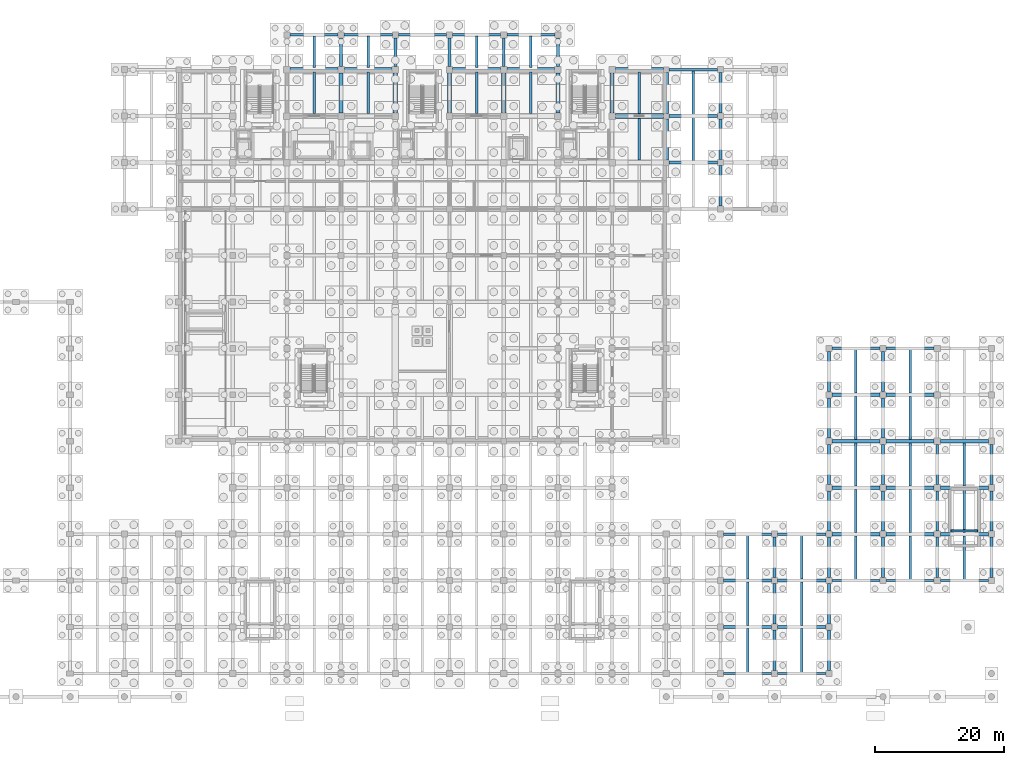
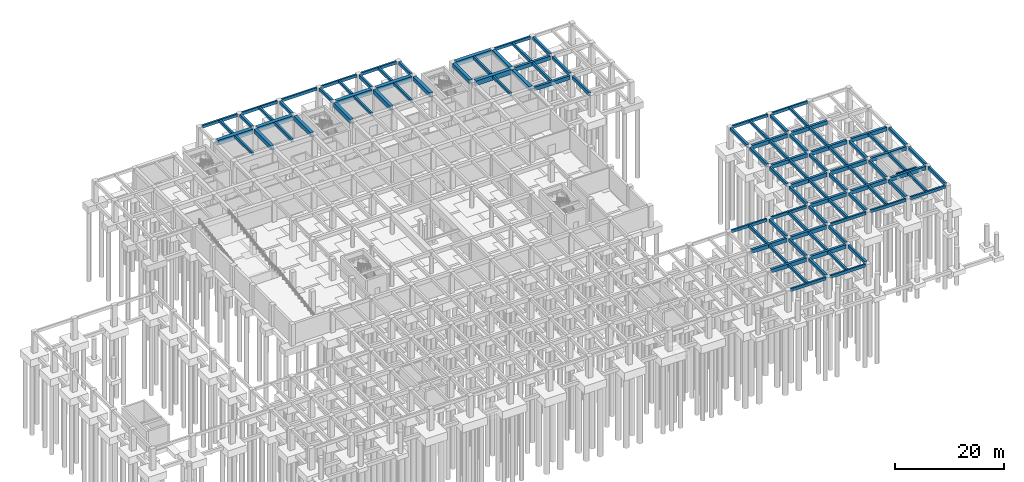
# One storey, part 16 of 26: 107 beams.
"""IFC4 building model written with IfcOpenShell, lengths in metres."""

from ifc_helpers import new_model, si_unit, direction, frame, origin, origin_2d, place, context, subcontext, project, spatial, rectangle, extrude, material, material_profile, profile_set, type_object, element, save


model = new_model("IFC4")

# Units and contexts
model_context = context("Model", 3, precision=1e-05, world=origin(), true_north=direction((0.0, 1.0)))
body_context = subcontext(model_context, "Body", "Model", "MODEL_VIEW")
ifc_project = project(units=[si_unit("LENGTHUNIT", "METRE"), si_unit("AREAUNIT", "SQUARE_METRE"), si_unit("VOLUMEUNIT", "CUBIC_METRE"), si_unit("PLANEANGLEUNIT", "RADIAN"), si_unit("MASSUNIT", "GRAM", prefix="KILO")], contexts=[model_context])

# Site, building, storey
site_placement = place(None, origin())
site = spatial("IfcSite", under=ifc_project, at=site_placement, CompositionType="ELEMENT")
building_placement = place(site_placement, origin())
building = spatial("IfcBuilding", under=site, at=building_placement, Name="Kenerak Square Central Library", CompositionType="ELEMENT")
storey_placement = place(building_placement, frame((0.0, 0.0, -4.800048828125)))
storey = spatial("IfcBuildingStorey", under=building, at=storey_placement, Name="B1", CompositionType="ELEMENT", Elevation=-4.800048828125)

# Beams
ifc_material_1 = material(Name="Concrete C45/55", Category="concrete")
ifc_material_profile_1 = material_profile(ifc_material_1, rectangle(XDim=0.64990234375, YDim=0.949951171875, at=origin_2d()), Name="RC 650x950")
ifc_profile_set_1 = profile_set([ifc_material_profile_1], Name="Concrete C45/55")
beam_type_1 = type_object("IfcBeamType", Name="Book Stack Girder B-02 RC 650x950 C45/55", PredefinedType="BEAM", material=ifc_profile_set_1)
for number, where, z_axis, x_axis, name in (
    (1, (75.199951171875, 103.699951171875, 4.324951171875), (0.0, 1.0, 0.0), (-1.0, 0.0, 0.0), "Beam B-02 B1 0219"),
    (2, (83.60009765625, 103.699951171875, 4.324951171875), (0.0, 1.0, 0.0), (-1.0, 0.0, 0.0), "Beam B-02 B1 0231"),
    (3, (92.0, 103.699951171875, 4.324951171875), (0.0, 1.0, 0.0), (-1.0, 0.0, 0.0), "Beam B-02 B1 0243"),
    (4, (100.39990234375, 103.699951171875, 4.324951171875), (0.0, 1.0, 0.0), (-1.0, 0.0, 0.0), "Beam B-02 B1 0257"),
    (5, (108.800048828125, 103.699951171875, 4.324951171875), (0.0, 1.0, 0.0), (-1.0, 0.0, 0.0), "Beam B-02 B1 0271"),
    (6, (117.199951171875, 103.699951171875, 4.324951171875), (0.0, 1.0, 0.0), (-1.0, 0.0, 0.0), "Beam B-02 B1 0285"),
):
    element("IfcBeam", number, at=place(storey_placement, frame(where, z_axis=z_axis, x_axis=x_axis)), inside=storey, type_object=beam_type_1, Name=name, PredefinedType="BEAM", context=body_context, shape_type="SweptSolid", body=[
        extrude(rectangle(XDim=0.64990234375, YDim=0.949951171875, at=origin_2d()), origin(), (0.0, 0.0, 1.0), 6.199951171875),
    ])
beam_1_placement = place(storey_placement, frame((125.60009765625, 96.425048828125, 4.324951171875), z_axis=(0.0, 1.0, 0.0), x_axis=(-1.0, 0.0, 0.0)))
element("IfcBeam", 7, at=beam_1_placement, inside=storey, type_object=beam_type_1, Name="Beam B-02 B1 0290", PredefinedType="BEAM", context=body_context, shape_type="SweptSolid", body=[
    extrude(rectangle(XDim=0.64990234375, YDim=0.949951171875, at=origin_2d()), origin(), (0.0, 0.0, 1.0), 6.349853515625),
])
beam_2_placement = place(storey_placement, frame((125.60009765625, 103.625, 4.324951171875), z_axis=(0.0, 1.0, 0.0), x_axis=(-1.0, 0.0, 0.0)))
element("IfcBeam", 8, at=beam_2_placement, inside=storey, type_object=beam_type_1, Name="Beam B-02 B1 0291", PredefinedType="BEAM", context=body_context, shape_type="SweptSolid", body=[
    extrude(rectangle(XDim=0.64990234375, YDim=0.949951171875, at=origin_2d()), origin(), (0.0, 0.0, 1.0), 6.35009765625),
])
ifc_material_profile_2 = material_profile(ifc_material_1, rectangle(XDim=0.75, YDim=1.050048828125, at=origin_2d()), Name="RC 750x1050")
ifc_profile_set_2 = profile_set([ifc_material_profile_2], Name="Concrete C45/55")
beam_type_2 = type_object("IfcBeamType", Name="Compact Stack Girder B-01 RC 750x1050 C45/55", PredefinedType="BEAM", material=ifc_profile_set_2)
beam_3_placement = place(storey_placement, frame((117.699951171875, 103.199951171875, 4.275146484375), z_axis=(1.0, 0.0, 0.0), x_axis=(0.0, 1.0, 0.0)))
element("IfcBeam", 9, at=beam_3_placement, inside=storey, type_object=beam_type_2, Name="Beam B-01 B1 0142", PredefinedType="BEAM", context=body_context, shape_type="SweptSolid", body=[
    extrude(rectangle(XDim=0.75, YDim=1.050048828125, at=origin_2d()), origin(), (0.0, 0.0, 1.0), 7.47509765625),
])
beam_4_placement = place(storey_placement, frame((67.300048828125, 110.39990234375, 4.275146484375), z_axis=(1.0, 0.0, 0.0), x_axis=(0.0, 1.0, 0.0)))
element("IfcBeam", 10, at=beam_4_placement, inside=storey, type_object=beam_type_2, Name="Beam B-01 B1 0147", PredefinedType="BEAM", context=body_context, shape_type="SweptSolid", body=[
    extrude(rectangle(XDim=0.75, YDim=1.050048828125, at=origin_2d()), origin(), (0.0, 0.0, 1.0), 7.39990234375),
])
beam_5_placement = place(storey_placement, frame((75.699951171875, 110.39990234375, 4.275146484375), z_axis=(1.0, 0.0, 0.0), x_axis=(0.0, 1.0, 0.0)))
element("IfcBeam", 11, at=beam_5_placement, inside=storey, type_object=beam_type_2, Name="Beam B-01 B1 0148", PredefinedType="BEAM", context=body_context, shape_type="SweptSolid", body=[
    extrude(rectangle(XDim=0.75, YDim=1.050048828125, at=origin_2d()), origin(), (0.0, 0.0, 1.0), 7.400146484375),
])
beam_6_placement = place(storey_placement, frame((92.5, 110.39990234375, 4.275146484375), z_axis=(1.0, 0.0, 0.0), x_axis=(0.0, 1.0, 0.0)))
element("IfcBeam", 12, at=beam_6_placement, inside=storey, type_object=beam_type_2, Name="Beam B-01 B1 0149", PredefinedType="BEAM", context=body_context, shape_type="SweptSolid", body=[
    extrude(rectangle(XDim=0.75, YDim=1.050048828125, at=origin_2d()), origin(), (0.0, 0.0, 1.0), 7.39990234375),
])
beam_7_placement = place(storey_placement, frame((100.89990234375, 110.39990234375, 4.275146484375), z_axis=(1.0, 0.0, 0.0), x_axis=(0.0, 1.0, 0.0)))
element("IfcBeam", 13, at=beam_7_placement, inside=storey, type_object=beam_type_2, Name="Beam B-01 B1 0150", PredefinedType="BEAM", context=body_context, shape_type="SweptSolid", body=[
    extrude(rectangle(XDim=0.75, YDim=1.050048828125, at=origin_2d()), origin(), (0.0, 0.0, 1.0), 7.400146484375),
])
beam_8_placement = place(storey_placement, frame((117.699951171875, 110.39990234375, 4.275146484375), z_axis=(1.0, 0.0, 0.0), x_axis=(0.0, 1.0, 0.0)))
element("IfcBeam", 14, at=beam_8_placement, inside=storey, type_object=beam_type_2, Name="Beam B-01 B1 0151", PredefinedType="BEAM", context=body_context, shape_type="SweptSolid", body=[
    extrude(rectangle(XDim=0.75, YDim=1.050048828125, at=origin_2d()), origin(), (0.0, 0.0, 1.0), 7.47509765625),
])
ifc_material_2 = material(Name="Concrete C40/50", Category="concrete")
ifc_material_profile_3 = material_profile(ifc_material_2, rectangle(XDim=0.300048828125, YDim=0.5, at=origin_2d()), Name="RC 300x500")
ifc_profile_set_3 = profile_set([ifc_material_profile_3], Name="Concrete C40/50")
beam_type_3 = type_object("IfcBeamType", Name="Landing Support Beam B-08 RC 300x500 C40/50", PredefinedType="BEAM", material=ifc_profile_set_3)
beam_9_placement = place(storey_placement, frame((169.719970703125, 38.909912109375, 4.550048828125), z_axis=(1.0, 0.0, 0.0), x_axis=(0.0, 1.0, 0.0)))
element("IfcBeam", 15, at=beam_9_placement, inside=storey, type_object=beam_type_3, Name="Stair Threshold Beam B-08 ST-07 L00", PredefinedType="BEAM", context=body_context, shape_type="SweptSolid", body=[
    extrude(rectangle(XDim=0.300048828125, YDim=0.5, at=origin_2d()), origin(), (0.0, 0.0, 1.0), 4.159912109375),
])
ifc_material_profile_4 = material_profile(ifc_material_2, rectangle(XDim=0.35009765625, YDim=0.64990234375, at=origin_2d()), Name="RC 350x650")
ifc_profile_set_4 = profile_set([ifc_material_profile_4], Name="Concrete C40/50")
beam_type_4 = type_object("IfcBeamType", Name="Perimeter Plinth Spandrel SP-03 RC 350x650 C40/50", PredefinedType="SPANDREL", material=ifc_profile_set_4)
for number, where, z_axis, x_axis, name in (
    (16, (134.47509765625, 16.800048828125, 4.47509765625), (1.0, 0.0, 0.0), (0.0, 1.0, 0.0), "Beam SP-03 B1 0013"),
    (17, (142.875, 16.800048828125, 4.47509765625), (1.0, 0.0, 0.0), (0.0, 1.0, 0.0), "Beam SP-03 B1 0014"),
):
    element("IfcBeam", number, at=place(storey_placement, frame(where, z_axis=z_axis, x_axis=x_axis)), inside=storey, type_object=beam_type_4, Name=name, PredefinedType="SPANDREL", context=body_context, shape_type="SweptSolid", body=[
        extrude(rectangle(XDim=0.35009765625, YDim=0.64990234375, at=origin_2d()), origin(), (0.0, 0.0, 1.0), 7.449951171875),
    ])
beam_10_placement = place(storey_placement, frame((151.27490234375, 31.199951171875, 4.47509765625), z_axis=(1.0, 0.0, 0.0), x_axis=(0.0, 1.0, 0.0)))
element("IfcBeam", 18, at=beam_10_placement, inside=storey, type_object=beam_type_4, Name="Beam SP-03 B1 0046", PredefinedType="SPANDREL", context=body_context, shape_type="SweptSolid", body=[
    extrude(rectangle(XDim=0.35009765625, YDim=0.64990234375, at=origin_2d()), origin(), (0.0, 0.0, 1.0), 7.4501953125),
])
for number, where, z_axis, x_axis, name in (
    (19, (159.675048828125, 31.199951171875, 4.47509765625), (1.0, 0.0, 0.0), (0.0, 1.0, 0.0), "Beam SP-03 B1 0047"),
    (20, (168.074951171875, 31.199951171875, 4.47509765625), (1.0, 0.0, 0.0), (0.0, 1.0, 0.0), "Beam SP-03 B1 0048"),
    (21, (134.47509765625, 38.39990234375, 4.47509765625), (1.0, 0.0, 0.0), (0.0, 1.0, 0.0), "Beam SP-03 B1 0061"),
    (22, (142.875, 38.39990234375, 4.47509765625), (1.0, 0.0, 0.0), (0.0, 1.0, 0.0), "Beam SP-03 B1 0062"),
):
    element("IfcBeam", number, at=place(storey_placement, frame(where, z_axis=z_axis, x_axis=x_axis)), inside=storey, type_object=beam_type_4, Name=name, PredefinedType="SPANDREL", context=body_context, shape_type="SweptSolid", body=[
        extrude(rectangle(XDim=0.35009765625, YDim=0.64990234375, at=origin_2d()), origin(), (0.0, 0.0, 1.0), 7.449951171875),
    ])
beam_11_placement = place(storey_placement, frame((151.27490234375, 67.199951171875, 4.47509765625), z_axis=(1.0, 0.0, 0.0), x_axis=(0.0, 1.0, 0.0)))
element("IfcBeam", 23, at=beam_11_placement, inside=storey, type_object=beam_type_4, Name="Beam SP-03 B1 0094", PredefinedType="SPANDREL", context=body_context, shape_type="SweptSolid", body=[
    extrude(rectangle(XDim=0.35009765625, YDim=0.64990234375, at=origin_2d()), origin(), (0.0, 0.0, 1.0), 7.4501953125),
])
beam_12_placement = place(storey_placement, frame((159.675048828125, 67.199951171875, 4.47509765625), z_axis=(1.0, 0.0, 0.0), x_axis=(0.0, 1.0, 0.0)))
element("IfcBeam", 24, at=beam_12_placement, inside=storey, type_object=beam_type_4, Name="Beam SP-03 B1 0095", PredefinedType="SPANDREL", context=body_context, shape_type="SweptSolid", body=[
    extrude(rectangle(XDim=0.35009765625, YDim=0.64990234375, at=origin_2d()), origin(), (0.0, 0.0, 1.0), 7.449951171875),
])
beam_13_placement = place(storey_placement, frame((126.02490234375, 110.39990234375, 4.47509765625), z_axis=(1.0, 0.0, 0.0), x_axis=(0.0, 1.0, 0.0)))
element("IfcBeam", 25, at=beam_13_placement, inside=storey, type_object=beam_type_4, Name="Beam SP-03 B1 0152", PredefinedType="SPANDREL", context=body_context, shape_type="SweptSolid", body=[
    extrude(rectangle(XDim=0.35009765625, YDim=0.64990234375, at=origin_2d()), origin(), (0.0, 0.0, 1.0), 7.5),
])
beam_14_placement = place(storey_placement, frame((67.27490234375, 115.800048828125, 4.47509765625), z_axis=(1.0, 0.0, 0.0), x_axis=(0.0, 1.0, 0.0)))
element("IfcBeam", 26, at=beam_14_placement, inside=storey, type_object=beam_type_4, Name="Beam SP-03 B1 0154", PredefinedType="SPANDREL", context=body_context, shape_type="SweptSolid", body=[
    extrude(rectangle(XDim=0.35009765625, YDim=0.64990234375, at=origin_2d()), origin(), (0.0, 0.0, 1.0), 7.4501953125),
])
for number, where, z_axis, x_axis, name in (
    (27, (75.675048828125, 115.800048828125, 4.47509765625), (1.0, 0.0, 0.0), (0.0, 1.0, 0.0), "Beam SP-03 B1 0155"),
    (28, (84.074951171875, 115.800048828125, 4.47509765625), (1.0, 0.0, 0.0), (0.0, 1.0, 0.0), "Beam SP-03 B1 0156"),
    (29, (92.47509765625, 115.800048828125, 4.47509765625), (1.0, 0.0, 0.0), (0.0, 1.0, 0.0), "Beam SP-03 B1 0157"),
    (30, (100.875, 115.800048828125, 4.47509765625), (1.0, 0.0, 0.0), (0.0, 1.0, 0.0), "Beam SP-03 B1 0158"),
):
    element("IfcBeam", number, at=place(storey_placement, frame(where, z_axis=z_axis, x_axis=x_axis)), inside=storey, type_object=beam_type_4, Name=name, PredefinedType="SPANDREL", context=body_context, shape_type="SweptSolid", body=[
        extrude(rectangle(XDim=0.35009765625, YDim=0.64990234375, at=origin_2d()), origin(), (0.0, 0.0, 1.0), 7.449951171875),
    ])
ifc_material_profile_5 = material_profile(ifc_material_2, rectangle(XDim=0.39990234375, YDim=0.60009765625, at=origin_2d()), Name="RC 400x600")
ifc_profile_set_5 = profile_set([ifc_material_profile_5], Name="Concrete C40/50")
beam_type_5 = type_object("IfcBeamType", Name="Secondary Floor Joist J-01 RC 400x600 C40/50", PredefinedType="JOIST", material=ifc_profile_set_5)
beam_15_placement = place(storey_placement, frame((71.0, 103.574951171875, 4.5), z_axis=(0.0, 1.0, 0.0), x_axis=(-1.0, 0.0, 0.0)))
element("IfcBeam", 31, at=beam_15_placement, inside=storey, type_object=beam_type_5, Name="Joist J-01 B1 0355", PredefinedType="JOIST", context=body_context, shape_type="SweptSolid", body=[
    extrude(rectangle(XDim=0.39990234375, YDim=0.60009765625, at=origin_2d()), origin(), (0.0, 0.0, 1.0), 6.449951171875),
])
beam_16_placement = place(storey_placement, frame((71.0, 110.77490234375, 4.5), z_axis=(0.0, 1.0, 0.0), x_axis=(-1.0, 0.0, 0.0)))
element("IfcBeam", 32, at=beam_16_placement, inside=storey, type_object=beam_type_5, Name="Joist J-01 B1 0356", PredefinedType="JOIST", context=body_context, shape_type="SweptSolid", body=[
    extrude(rectangle(XDim=0.39990234375, YDim=0.60009765625, at=origin_2d()), origin(), (0.0, 0.0, 1.0), 4.85009765625),
])
beam_17_placement = place(storey_placement, frame((79.39990234375, 103.574951171875, 4.5), z_axis=(0.0, 1.0, 0.0), x_axis=(-1.0, 0.0, 0.0)))
element("IfcBeam", 33, at=beam_17_placement, inside=storey, type_object=beam_type_5, Name="Joist J-01 B1 0366", PredefinedType="JOIST", context=body_context, shape_type="SweptSolid", body=[
    extrude(rectangle(XDim=0.39990234375, YDim=0.60009765625, at=origin_2d()), origin(), (0.0, 0.0, 1.0), 6.449951171875),
])
beam_18_placement = place(storey_placement, frame((79.39990234375, 110.77490234375, 4.5), z_axis=(0.0, 1.0, 0.0), x_axis=(-1.0, 0.0, 0.0)))
element("IfcBeam", 34, at=beam_18_placement, inside=storey, type_object=beam_type_5, Name="Joist J-01 B1 0367", PredefinedType="JOIST", context=body_context, shape_type="SweptSolid", body=[
    extrude(rectangle(XDim=0.39990234375, YDim=0.60009765625, at=origin_2d()), origin(), (0.0, 0.0, 1.0), 4.85009765625),
])
beam_19_placement = place(storey_placement, frame((96.199951171875, 103.574951171875, 4.5), z_axis=(0.0, 1.0, 0.0), x_axis=(-1.0, 0.0, 0.0)))
element("IfcBeam", 35, at=beam_19_placement, inside=storey, type_object=beam_type_5, Name="Joist J-01 B1 0387", PredefinedType="JOIST", context=body_context, shape_type="SweptSolid", body=[
    extrude(rectangle(XDim=0.39990234375, YDim=0.60009765625, at=origin_2d()), origin(), (0.0, 0.0, 1.0), 6.449951171875),
])
beam_20_placement = place(storey_placement, frame((96.199951171875, 110.77490234375, 4.5), z_axis=(0.0, 1.0, 0.0), x_axis=(-1.0, 0.0, 0.0)))
element("IfcBeam", 36, at=beam_20_placement, inside=storey, type_object=beam_type_5, Name="Joist J-01 B1 0388", PredefinedType="JOIST", context=body_context, shape_type="SweptSolid", body=[
    extrude(rectangle(XDim=0.39990234375, YDim=0.60009765625, at=origin_2d()), origin(), (0.0, 0.0, 1.0), 4.85009765625),
])
beam_21_placement = place(storey_placement, frame((104.60009765625, 103.574951171875, 4.5), z_axis=(0.0, 1.0, 0.0), x_axis=(-1.0, 0.0, 0.0)))
element("IfcBeam", 37, at=beam_21_placement, inside=storey, type_object=beam_type_5, Name="Joist J-01 B1 0401", PredefinedType="JOIST", context=body_context, shape_type="SweptSolid", body=[
    extrude(rectangle(XDim=0.39990234375, YDim=0.60009765625, at=origin_2d()), origin(), (0.0, 0.0, 1.0), 6.449951171875),
])
beam_22_placement = place(storey_placement, frame((104.60009765625, 110.77490234375, 4.5), z_axis=(0.0, 1.0, 0.0), x_axis=(-1.0, 0.0, 0.0)))
element("IfcBeam", 38, at=beam_22_placement, inside=storey, type_object=beam_type_5, Name="Joist J-01 B1 0402", PredefinedType="JOIST", context=body_context, shape_type="SweptSolid", body=[
    extrude(rectangle(XDim=0.39990234375, YDim=0.60009765625, at=origin_2d()), origin(), (0.0, 0.0, 1.0), 4.85009765625),
])
for number, where, z_axis, x_axis, name in (
    (39, (121.39990234375, 96.375, 4.5), (0.0, 1.0, 0.0), (-1.0, 0.0, 0.0), "Joist J-01 B1 0415"),
    (40, (121.39990234375, 103.574951171875, 4.5), (0.0, 1.0, 0.0), (-1.0, 0.0, 0.0), "Joist J-01 B1 0416"),
):
    element("IfcBeam", number, at=place(storey_placement, frame(where, z_axis=z_axis, x_axis=x_axis)), inside=storey, type_object=beam_type_5, Name=name, PredefinedType="JOIST", context=body_context, shape_type="SweptSolid", body=[
        extrude(rectangle(XDim=0.39990234375, YDim=0.60009765625, at=origin_2d()), origin(), (0.0, 0.0, 1.0), 6.449951171875),
    ])
beam_23_placement = place(storey_placement, frame((129.800048828125, 96.25, 4.5), z_axis=(0.0, 1.0, 0.0), x_axis=(-1.0, 0.0, 0.0)))
element("IfcBeam", 41, at=beam_23_placement, inside=storey, type_object=beam_type_5, Name="Joist J-01 B1 0421", PredefinedType="JOIST", context=body_context, shape_type="SweptSolid", body=[
    extrude(rectangle(XDim=0.39990234375, YDim=0.60009765625, at=origin_2d()), origin(), (0.0, 0.0, 1.0), 6.699951171875),
])
beam_24_placement = place(storey_placement, frame((129.800048828125, 103.449951171875, 4.5), z_axis=(0.0, 1.0, 0.0), x_axis=(-1.0, 0.0, 0.0)))
element("IfcBeam", 42, at=beam_24_placement, inside=storey, type_object=beam_type_5, Name="Joist J-01 B1 0422", PredefinedType="JOIST", context=body_context, shape_type="SweptSolid", body=[
    extrude(rectangle(XDim=0.39990234375, YDim=0.60009765625, at=origin_2d()), origin(), (0.0, 0.0, 1.0), 6.775146484375),
])
beam_25_placement = place(storey_placement, frame((138.199951171875, 16.97509765625, 4.5), z_axis=(0.0, 1.0, 0.0), x_axis=(-1.0, 0.0, 0.0)))
element("IfcBeam", 43, at=beam_25_placement, inside=storey, type_object=beam_type_5, Name="Joist J-01 B1 0423", PredefinedType="JOIST", context=body_context, shape_type="SweptSolid", body=[
    extrude(rectangle(XDim=0.39990234375, YDim=0.60009765625, at=origin_2d()), origin(), (0.0, 0.0, 1.0), 6.77490234375),
])
beam_26_placement = place(storey_placement, frame((138.199951171875, 24.25, 4.5), z_axis=(0.0, 1.0, 0.0), x_axis=(-1.0, 0.0, 0.0)))
element("IfcBeam", 44, at=beam_26_placement, inside=storey, type_object=beam_type_5, Name="Joist J-01 B1 0424", PredefinedType="JOIST", context=body_context, shape_type="SweptSolid", body=[
    extrude(rectangle(XDim=0.39990234375, YDim=0.60009765625, at=origin_2d()), origin(), (0.0, 0.0, 1.0), 6.699951171875),
])
beam_27_placement = place(storey_placement, frame((138.199951171875, 31.449951171875, 4.5), z_axis=(0.0, 1.0, 0.0), x_axis=(-1.0, 0.0, 0.0)))
element("IfcBeam", 45, at=beam_27_placement, inside=storey, type_object=beam_type_5, Name="Joist J-01 B1 0425", PredefinedType="JOIST", context=body_context, shape_type="SweptSolid", body=[
    extrude(rectangle(XDim=0.39990234375, YDim=0.60009765625, at=origin_2d()), origin(), (0.0, 0.0, 1.0), 6.775146484375),
])
beam_28_placement = place(storey_placement, frame((146.60009765625, 16.97509765625, 4.5), z_axis=(0.0, 1.0, 0.0), x_axis=(-1.0, 0.0, 0.0)))
element("IfcBeam", 46, at=beam_28_placement, inside=storey, type_object=beam_type_5, Name="Joist J-01 B1 0429", PredefinedType="JOIST", context=body_context, shape_type="SweptSolid", body=[
    extrude(rectangle(XDim=0.39990234375, YDim=0.60009765625, at=origin_2d()), origin(), (0.0, 0.0, 1.0), 6.77490234375),
])
beam_29_placement = place(storey_placement, frame((146.60009765625, 24.25, 4.5), z_axis=(0.0, 1.0, 0.0), x_axis=(-1.0, 0.0, 0.0)))
element("IfcBeam", 47, at=beam_29_placement, inside=storey, type_object=beam_type_5, Name="Joist J-01 B1 0430", PredefinedType="JOIST", context=body_context, shape_type="SweptSolid", body=[
    extrude(rectangle(XDim=0.39990234375, YDim=0.60009765625, at=origin_2d()), origin(), (0.0, 0.0, 1.0), 6.699951171875),
])
beam_30_placement = place(storey_placement, frame((146.60009765625, 31.449951171875, 4.5), z_axis=(0.0, 1.0, 0.0), x_axis=(-1.0, 0.0, 0.0)))
element("IfcBeam", 48, at=beam_30_placement, inside=storey, type_object=beam_type_5, Name="Joist J-01 B1 0431", PredefinedType="JOIST", context=body_context, shape_type="SweptSolid", body=[
    extrude(rectangle(XDim=0.39990234375, YDim=0.60009765625, at=origin_2d()), origin(), (0.0, 0.0, 1.0), 6.775146484375),
])
beam_31_placement = place(storey_placement, frame((155.0, 31.375, 4.5), z_axis=(0.0, 1.0, 0.0), x_axis=(-1.0, 0.0, 0.0)))
element("IfcBeam", 49, at=beam_31_placement, inside=storey, type_object=beam_type_5, Name="Joist J-01 B1 0432", PredefinedType="JOIST", context=body_context, shape_type="SweptSolid", body=[
    extrude(rectangle(XDim=0.39990234375, YDim=0.60009765625, at=origin_2d()), origin(), (0.0, 0.0, 1.0), 6.77490234375),
])
beam_32_placement = place(storey_placement, frame((155.0, 38.64990234375, 4.5), z_axis=(0.0, 1.0, 0.0), x_axis=(-1.0, 0.0, 0.0)))
element("IfcBeam", 50, at=beam_32_placement, inside=storey, type_object=beam_type_5, Name="Joist J-01 B1 0433", PredefinedType="JOIST", context=body_context, shape_type="SweptSolid", body=[
    extrude(rectangle(XDim=0.39990234375, YDim=0.60009765625, at=origin_2d()), origin(), (0.0, 0.0, 1.0), 6.7001953125),
])
for number, where, z_axis, x_axis, name in (
    (51, (155.0, 45.85009765625, 4.5), (0.0, 1.0, 0.0), (-1.0, 0.0, 0.0), "Joist J-01 B1 0434"),
    (52, (155.0, 53.050048828125, 4.5), (0.0, 1.0, 0.0), (-1.0, 0.0, 0.0), "Joist J-01 B1 0435"),
):
    element("IfcBeam", number, at=place(storey_placement, frame(where, z_axis=z_axis, x_axis=x_axis)), inside=storey, type_object=beam_type_5, Name=name, PredefinedType="JOIST", context=body_context, shape_type="SweptSolid", body=[
        extrude(rectangle(XDim=0.39990234375, YDim=0.60009765625, at=origin_2d()), origin(), (0.0, 0.0, 1.0), 6.699951171875),
    ])
for number, where, z_axis, x_axis, name in (
    (53, (155.0, 60.25, 4.5), (0.0, 1.0, 0.0), (-1.0, 0.0, 0.0), "Joist J-01 B1 0436"),
    (54, (163.39990234375, 31.375, 4.5), (0.0, 1.0, 0.0), (-1.0, 0.0, 0.0), "Joist J-01 B1 0437"),
):
    element("IfcBeam", number, at=place(storey_placement, frame(where, z_axis=z_axis, x_axis=x_axis)), inside=storey, type_object=beam_type_5, Name=name, PredefinedType="JOIST", context=body_context, shape_type="SweptSolid", body=[
        extrude(rectangle(XDim=0.39990234375, YDim=0.60009765625, at=origin_2d()), origin(), (0.0, 0.0, 1.0), 6.77490234375),
    ])
beam_33_placement = place(storey_placement, frame((163.39990234375, 38.64990234375, 4.5), z_axis=(0.0, 1.0, 0.0), x_axis=(-1.0, 0.0, 0.0)))
element("IfcBeam", 55, at=beam_33_placement, inside=storey, type_object=beam_type_5, Name="Joist J-01 B1 0438", PredefinedType="JOIST", context=body_context, shape_type="SweptSolid", body=[
    extrude(rectangle(XDim=0.39990234375, YDim=0.60009765625, at=origin_2d()), origin(), (0.0, 0.0, 1.0), 6.7001953125),
])
for number, where, z_axis, x_axis, name in (
    (56, (163.39990234375, 45.85009765625, 4.5), (0.0, 1.0, 0.0), (-1.0, 0.0, 0.0), "Joist J-01 B1 0439"),
    (57, (163.39990234375, 53.050048828125, 4.5), (0.0, 1.0, 0.0), (-1.0, 0.0, 0.0), "Joist J-01 B1 0440"),
):
    element("IfcBeam", number, at=place(storey_placement, frame(where, z_axis=z_axis, x_axis=x_axis)), inside=storey, type_object=beam_type_5, Name=name, PredefinedType="JOIST", context=body_context, shape_type="SweptSolid", body=[
        extrude(rectangle(XDim=0.39990234375, YDim=0.60009765625, at=origin_2d()), origin(), (0.0, 0.0, 1.0), 6.699951171875),
    ])
for number, where, z_axis, x_axis, name in (
    (58, (163.39990234375, 60.25, 4.5), (0.0, 1.0, 0.0), (-1.0, 0.0, 0.0), "Joist J-01 B1 0441"),
    (59, (171.800048828125, 31.375, 4.5), (0.0, 1.0, 0.0), (-1.0, 0.0, 0.0), "Joist J-01 B1 0442"),
):
    element("IfcBeam", number, at=place(storey_placement, frame(where, z_axis=z_axis, x_axis=x_axis)), inside=storey, type_object=beam_type_5, Name=name, PredefinedType="JOIST", context=body_context, shape_type="SweptSolid", body=[
        extrude(rectangle(XDim=0.39990234375, YDim=0.60009765625, at=origin_2d()), origin(), (0.0, 0.0, 1.0), 6.77490234375),
    ])
beam_34_placement = place(storey_placement, frame((171.800048828125, 38.64990234375, 4.5), z_axis=(0.0, 1.0, 0.0), x_axis=(-1.0, 0.0, 0.0)))
element("IfcBeam", 60, at=beam_34_placement, inside=storey, type_object=beam_type_5, Name="Joist J-01 B1 0443", PredefinedType="JOIST", context=body_context, shape_type="SweptSolid", body=[
    extrude(rectangle(XDim=0.39990234375, YDim=0.60009765625, at=origin_2d()), origin(), (0.0, 0.0, 1.0), 6.7001953125),
])
beam_35_placement = place(storey_placement, frame((171.800048828125, 45.85009765625, 4.5), z_axis=(0.0, 1.0, 0.0), x_axis=(-1.0, 0.0, 0.0)))
element("IfcBeam", 61, at=beam_35_placement, inside=storey, type_object=beam_type_5, Name="Joist J-01 B1 0444", PredefinedType="JOIST", context=body_context, shape_type="SweptSolid", body=[
    extrude(rectangle(XDim=0.39990234375, YDim=0.60009765625, at=origin_2d()), origin(), (0.0, 0.0, 1.0), 6.699951171875),
])
ifc_material_profile_6 = material_profile(ifc_material_2, rectangle(XDim=0.5, YDim=0.85009765625, at=origin_2d()), Name="RC 500x850")
ifc_profile_set_6 = profile_set([ifc_material_profile_6], Name="Concrete C40/50")
beam_type_6 = type_object("IfcBeamType", Name="Sub-Grade Plinth Girder B-09 RC 500x850 C40/50", PredefinedType="BEAM", material=ifc_profile_set_6)
for number, where, z_axis, x_axis, name in (
    (62, (134.47509765625, 24.0, 4.375), (1.0, 0.0, 0.0), (0.0, 1.0, 0.0), "Beam B-09 B1 0027"),
    (63, (142.875, 24.0, 4.375), (1.0, 0.0, 0.0), (0.0, 1.0, 0.0), "Beam B-09 B1 0028"),
    (64, (134.47509765625, 31.199951171875, 4.375), (1.0, 0.0, 0.0), (0.0, 1.0, 0.0), "Beam B-09 B1 0044"),
    (65, (142.875, 31.199951171875, 4.375), (1.0, 0.0, 0.0), (0.0, 1.0, 0.0), "Beam B-09 B1 0045"),
):
    element("IfcBeam", number, at=place(storey_placement, frame(where, z_axis=z_axis, x_axis=x_axis)), inside=storey, type_object=beam_type_6, Name=name, PredefinedType="BEAM", context=body_context, shape_type="SweptSolid", body=[
        extrude(rectangle(XDim=0.5, YDim=0.85009765625, at=origin_2d()), origin(), (0.0, 0.0, 1.0), 7.449951171875),
    ])
beam_36_placement = place(storey_placement, frame((151.27490234375, 38.39990234375, 4.375), z_axis=(1.0, 0.0, 0.0), x_axis=(0.0, 1.0, 0.0)))
element("IfcBeam", 66, at=beam_36_placement, inside=storey, type_object=beam_type_6, Name="Beam B-09 B1 0063", PredefinedType="BEAM", context=body_context, shape_type="SweptSolid", body=[
    extrude(rectangle(XDim=0.5, YDim=0.85009765625, at=origin_2d()), origin(), (0.0, 0.0, 1.0), 7.4501953125),
])
for number, where, z_axis, x_axis, name in (
    (67, (159.675048828125, 38.39990234375, 4.375), (1.0, 0.0, 0.0), (0.0, 1.0, 0.0), "Beam B-09 B1 0064"),
    (68, (168.074951171875, 38.39990234375, 4.375), (1.0, 0.0, 0.0), (0.0, 1.0, 0.0), "Beam B-09 B1 0065"),
):
    element("IfcBeam", number, at=place(storey_placement, frame(where, z_axis=z_axis, x_axis=x_axis)), inside=storey, type_object=beam_type_6, Name=name, PredefinedType="BEAM", context=body_context, shape_type="SweptSolid", body=[
        extrude(rectangle(XDim=0.5, YDim=0.85009765625, at=origin_2d()), origin(), (0.0, 0.0, 1.0), 7.449951171875),
    ])
beam_37_placement = place(storey_placement, frame((151.27490234375, 45.60009765625, 4.375), z_axis=(1.0, 0.0, 0.0), x_axis=(0.0, 1.0, 0.0)))
element("IfcBeam", 69, at=beam_37_placement, inside=storey, type_object=beam_type_6, Name="Beam B-09 B1 0073", PredefinedType="BEAM", context=body_context, shape_type="SweptSolid", body=[
    extrude(rectangle(XDim=0.5, YDim=0.85009765625, at=origin_2d()), origin(), (0.0, 0.0, 1.0), 7.4501953125),
])
for number, where, z_axis, x_axis, name in (
    (70, (159.675048828125, 45.60009765625, 4.375), (1.0, 0.0, 0.0), (0.0, 1.0, 0.0), "Beam B-09 B1 0074"),
    (71, (168.074951171875, 45.60009765625, 4.375), (1.0, 0.0, 0.0), (0.0, 1.0, 0.0), "Beam B-09 B1 0075"),
):
    element("IfcBeam", number, at=place(storey_placement, frame(where, z_axis=z_axis, x_axis=x_axis)), inside=storey, type_object=beam_type_6, Name=name, PredefinedType="BEAM", context=body_context, shape_type="SweptSolid", body=[
        extrude(rectangle(XDim=0.5, YDim=0.85009765625, at=origin_2d()), origin(), (0.0, 0.0, 1.0), 7.449951171875),
    ])
beam_38_placement = place(storey_placement, frame((151.27490234375, 52.800048828125, 4.375), z_axis=(1.0, 0.0, 0.0), x_axis=(0.0, 1.0, 0.0)))
element("IfcBeam", 72, at=beam_38_placement, inside=storey, type_object=beam_type_6, Name="Beam B-09 B1 0083", PredefinedType="BEAM", context=body_context, shape_type="SweptSolid", body=[
    extrude(rectangle(XDim=0.5, YDim=0.85009765625, at=origin_2d()), origin(), (0.0, 0.0, 1.0), 7.4501953125),
])
for number, where, z_axis, x_axis, name in (
    (73, (159.675048828125, 52.800048828125, 4.375), (1.0, 0.0, 0.0), (0.0, 1.0, 0.0), "Beam B-09 B1 0084"),
    (74, (168.074951171875, 52.800048828125, 4.375), (1.0, 0.0, 0.0), (0.0, 1.0, 0.0), "Beam B-09 B1 0085"),
):
    element("IfcBeam", number, at=place(storey_placement, frame(where, z_axis=z_axis, x_axis=x_axis)), inside=storey, type_object=beam_type_6, Name=name, PredefinedType="BEAM", context=body_context, shape_type="SweptSolid", body=[
        extrude(rectangle(XDim=0.5, YDim=0.85009765625, at=origin_2d()), origin(), (0.0, 0.0, 1.0), 7.449951171875),
    ])
beam_39_placement = place(storey_placement, frame((151.27490234375, 60.0, 4.375), z_axis=(1.0, 0.0, 0.0), x_axis=(0.0, 1.0, 0.0)))
element("IfcBeam", 75, at=beam_39_placement, inside=storey, type_object=beam_type_6, Name="Beam B-09 B1 0090", PredefinedType="BEAM", context=body_context, shape_type="SweptSolid", body=[
    extrude(rectangle(XDim=0.5, YDim=0.85009765625, at=origin_2d()), origin(), (0.0, 0.0, 1.0), 7.4501953125),
])
beam_40_placement = place(storey_placement, frame((159.675048828125, 60.0, 4.375), z_axis=(1.0, 0.0, 0.0), x_axis=(0.0, 1.0, 0.0)))
element("IfcBeam", 76, at=beam_40_placement, inside=storey, type_object=beam_type_6, Name="Beam B-09 B1 0091", PredefinedType="BEAM", context=body_context, shape_type="SweptSolid", body=[
    extrude(rectangle(XDim=0.5, YDim=0.85009765625, at=origin_2d()), origin(), (0.0, 0.0, 1.0), 7.449951171875),
])
for number, where, z_axis, x_axis, name in (
    (77, (126.02490234375, 96.0, 4.375), (1.0, 0.0, 0.0), (0.0, 1.0, 0.0), "Beam B-09 B1 0134"),
    (78, (126.02490234375, 103.199951171875, 4.375), (1.0, 0.0, 0.0), (0.0, 1.0, 0.0), "Beam B-09 B1 0143"),
):
    element("IfcBeam", number, at=place(storey_placement, frame(where, z_axis=z_axis, x_axis=x_axis)), inside=storey, type_object=beam_type_6, Name=name, PredefinedType="BEAM", context=body_context, shape_type="SweptSolid", body=[
        extrude(rectangle(XDim=0.5, YDim=0.85009765625, at=origin_2d()), origin(), (0.0, 0.0, 1.0), 7.5),
    ])
ifc_material_profile_7 = material_profile(ifc_material_2, rectangle(XDim=0.449951171875, YDim=0.699951171875, at=origin_2d()), Name="RC 450x700")
ifc_profile_set_7 = profile_set([ifc_material_profile_7], Name="Concrete C40/50")
beam_type_7 = type_object("IfcBeamType", Name="Sub-Grade Tie Beam B-10 RC 450x700 C40/50", PredefinedType="BEAM", material=ifc_profile_set_7)
for number, where, z_axis, x_axis, name in (
    (79, (75.199951171875, 110.89990234375, 4.449951171875), (0.0, 1.0, 0.0), (-1.0, 0.0, 0.0), "Beam B-10 B1 0220"),
    (80, (83.60009765625, 110.89990234375, 4.449951171875), (0.0, 1.0, 0.0), (-1.0, 0.0, 0.0), "Beam B-10 B1 0232"),
    (81, (92.0, 110.89990234375, 4.449951171875), (0.0, 1.0, 0.0), (-1.0, 0.0, 0.0), "Beam B-10 B1 0244"),
    (82, (100.39990234375, 110.89990234375, 4.449951171875), (0.0, 1.0, 0.0), (-1.0, 0.0, 0.0), "Beam B-10 B1 0258"),
    (83, (108.800048828125, 110.89990234375, 4.449951171875), (0.0, 1.0, 0.0), (-1.0, 0.0, 0.0), "Beam B-10 B1 0272"),
):
    element("IfcBeam", number, at=place(storey_placement, frame(where, z_axis=z_axis, x_axis=x_axis)), inside=storey, type_object=beam_type_7, Name=name, PredefinedType="BEAM", context=body_context, shape_type="SweptSolid", body=[
        extrude(rectangle(XDim=0.449951171875, YDim=0.699951171875, at=origin_2d()), origin(), (0.0, 0.0, 1.0), 4.425048828125),
    ])
for number, where, z_axis, x_axis, name in (
    (84, (134.0, 89.27490234375, 4.449951171875), (0.0, 1.0, 0.0), (-1.0, 0.0, 0.0), "Beam B-10 B1 0295"),
    (85, (134.0, 96.47509765625, 4.449951171875), (0.0, 1.0, 0.0), (-1.0, 0.0, 0.0), "Beam B-10 B1 0296"),
    (86, (134.0, 103.675048828125, 4.449951171875), (0.0, 1.0, 0.0), (-1.0, 0.0, 0.0), "Beam B-10 B1 0297"),
    (87, (142.39990234375, 17.27490234375, 4.449951171875), (0.0, 1.0, 0.0), (-1.0, 0.0, 0.0), "Beam B-10 B1 0298"),
    (88, (142.39990234375, 24.47509765625, 4.449951171875), (0.0, 1.0, 0.0), (-1.0, 0.0, 0.0), "Beam B-10 B1 0299"),
    (89, (142.39990234375, 31.675048828125, 4.449951171875), (0.0, 1.0, 0.0), (-1.0, 0.0, 0.0), "Beam B-10 B1 0300"),
    (90, (150.800048828125, 17.27490234375, 4.449951171875), (0.0, 1.0, 0.0), (-1.0, 0.0, 0.0), "Beam B-10 B1 0304"),
    (91, (150.800048828125, 24.47509765625, 4.449951171875), (0.0, 1.0, 0.0), (-1.0, 0.0, 0.0), "Beam B-10 B1 0305"),
    (92, (150.800048828125, 31.675048828125, 4.449951171875), (0.0, 1.0, 0.0), (-1.0, 0.0, 0.0), "Beam B-10 B1 0306"),
    (93, (150.800048828125, 38.875, 4.449951171875), (0.0, 1.0, 0.0), (-1.0, 0.0, 0.0), "Beam B-10 B1 0307"),
    (94, (150.800048828125, 46.074951171875, 4.449951171875), (0.0, 1.0, 0.0), (-1.0, 0.0, 0.0), "Beam B-10 B1 0308"),
    (95, (150.800048828125, 53.27490234375, 4.449951171875), (0.0, 1.0, 0.0), (-1.0, 0.0, 0.0), "Beam B-10 B1 0309"),
    (96, (150.800048828125, 60.47509765625, 4.449951171875), (0.0, 1.0, 0.0), (-1.0, 0.0, 0.0), "Beam B-10 B1 0310"),
    (97, (159.199951171875, 31.675048828125, 4.449951171875), (0.0, 1.0, 0.0), (-1.0, 0.0, 0.0), "Beam B-10 B1 0311"),
    (98, (159.199951171875, 38.875, 4.449951171875), (0.0, 1.0, 0.0), (-1.0, 0.0, 0.0), "Beam B-10 B1 0312"),
    (99, (159.199951171875, 46.074951171875, 4.449951171875), (0.0, 1.0, 0.0), (-1.0, 0.0, 0.0), "Beam B-10 B1 0313"),
    (100, (159.199951171875, 53.27490234375, 4.449951171875), (0.0, 1.0, 0.0), (-1.0, 0.0, 0.0), "Beam B-10 B1 0314"),
    (101, (159.199951171875, 60.47509765625, 4.449951171875), (0.0, 1.0, 0.0), (-1.0, 0.0, 0.0), "Beam B-10 B1 0315"),
    (102, (167.60009765625, 31.675048828125, 4.449951171875), (0.0, 1.0, 0.0), (-1.0, 0.0, 0.0), "Beam B-10 B1 0316"),
    (103, (167.60009765625, 38.875, 4.449951171875), (0.0, 1.0, 0.0), (-1.0, 0.0, 0.0), "Beam B-10 B1 0317"),
    (104, (167.60009765625, 46.074951171875, 4.449951171875), (0.0, 1.0, 0.0), (-1.0, 0.0, 0.0), "Beam B-10 B1 0318"),
    (105, (176.0, 31.675048828125, 4.449951171875), (0.0, 1.0, 0.0), (-1.0, 0.0, 0.0), "Beam B-10 B1 0321"),
    (106, (176.0, 38.875, 4.449951171875), (0.0, 1.0, 0.0), (-1.0, 0.0, 0.0), "Beam B-10 B1 0322"),
    (107, (176.0, 46.074951171875, 4.449951171875), (0.0, 1.0, 0.0), (-1.0, 0.0, 0.0), "Beam B-10 B1 0323"),
):
    element("IfcBeam", number, at=place(storey_placement, frame(where, z_axis=z_axis, x_axis=x_axis)), inside=storey, type_object=beam_type_7, Name=name, PredefinedType="BEAM", context=body_context, shape_type="SweptSolid", body=[
        extrude(rectangle(XDim=0.449951171875, YDim=0.699951171875, at=origin_2d()), origin(), (0.0, 0.0, 1.0), 6.25),
    ])

save(model, "model.ifc")
